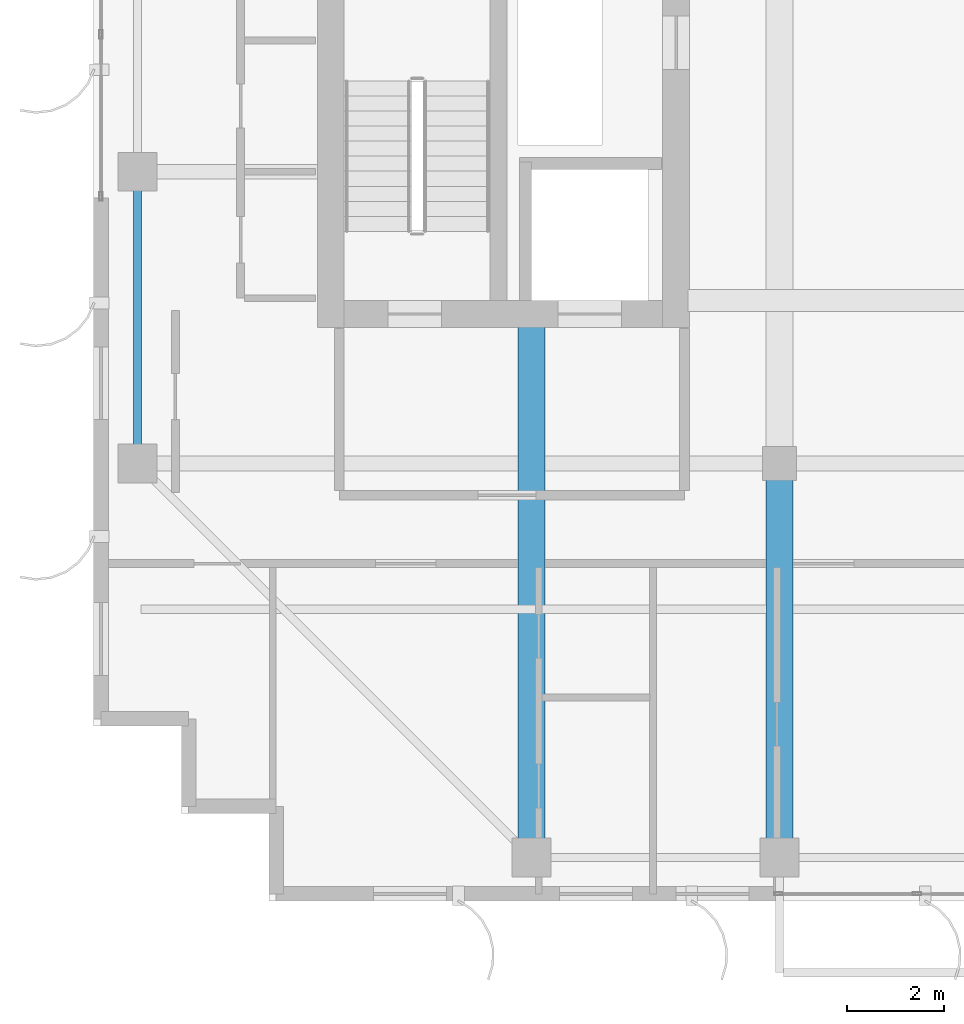
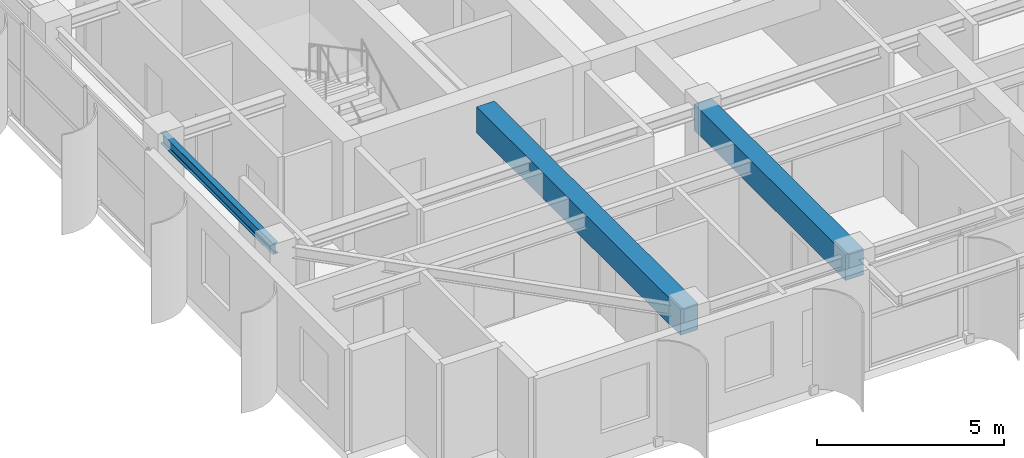
# One storey, part 3 of 23: 3 beams.
"""IFC4 building model written with IfcOpenShell, lengths in metres."""

from ifc_helpers import new_model, si_unit, direction, frame, origin, origin_2d, place, context, subcontext, project, spatial, rectangle, i_section, extrude, source, transform, mapped, material, material_profile, profile_set, type_object, element, save


model = new_model("IFC4")

# Units and contexts
model_context = context("Model", 3, precision=1e-05, world=origin(), true_north=direction((0.0, 1.0)))
body_context = subcontext(model_context, "Body", "Model", "MODEL_VIEW")
ifc_project = project(units=[si_unit("LENGTHUNIT", "METRE"), si_unit("AREAUNIT", "SQUARE_METRE"), si_unit("VOLUMEUNIT", "CUBIC_METRE"), si_unit("PLANEANGLEUNIT", "RADIAN"), si_unit("MASSUNIT", "GRAM", prefix="KILO")], contexts=[model_context])

# Site, building, storey
site_placement = place(None, origin())
site = spatial("IfcSite", under=ifc_project, at=site_placement, CompositionType="ELEMENT")
building_placement = place(site_placement, origin())
building = spatial("IfcBuilding", under=site, at=building_placement, Name="Khoralis Quay Care Tower", CompositionType="ELEMENT")
storey_placement = place(building_placement, frame((0.0, 0.0, 270.89990234375)))
storey = spatial("IfcBuildingStorey", under=building, at=storey_placement, Name="L71", CompositionType="ELEMENT", Elevation=270.89990234375)

# Beams
ifc_material_1 = material(Name="Steel S355", Category="steel")
ifc_material_profile_1 = material_profile(ifc_material_1, i_section(OverallWidth=0.169921875, OverallDepth=0.360107421875, WebThickness=0.008056640625, FlangeThickness=0.0126953125, FilletRadius=0.01806640625, at=origin_2d()), Name="Steel S355")
ifc_profile_set_1 = profile_set([ifc_material_profile_1], Name="Steel S355")
beam_type_1 = type_object("IfcBeamType", Name="BM-IPE360", PredefinedType="SPANDREL", material=ifc_profile_set_1)
shared_shape_1 = source(origin(), body_context, "Body", "SweptSolid", [
    extrude(i_section(OverallWidth=0.169921875, OverallDepth=0.360107421875, WebThickness=0.008056640625, FlangeThickness=0.0126953125, FilletRadius=0.01806640625, at=origin_2d()), origin(), (0.0, 0.0, 1.0), 6.0),
])
beam_1_placement = place(storey_placement, frame((3.89990234375, 12.0, 3.14013671875), z_axis=(0.0, 1.0, 0.0), x_axis=(-1.0, 0.0, 0.0)))
element("IfcBeam", 1, at=beam_1_placement, inside=storey, type_object=beam_type_1, Name="BM-TSP-L71-09", PredefinedType="SPANDREL", context=body_context, shape_type="MappedRepresentation", body=[
    mapped(shared_shape_1, transform((0.0, 0.0, 0.0), scale=1.0)),
])
ifc_material_2 = material(Name="Concrete C50/60", Category="concrete")
ifc_material_profile_2 = material_profile(ifc_material_2, rectangle(XDim=0.550048828125, YDim=0.85009765625, at=origin_2d()), Name="Concrete C50/60")
ifc_profile_set_2 = profile_set([ifc_material_profile_2], Name="Concrete C50/60")
beam_type_2 = type_object("IfcBeamType", Name="BM-RC550X850", PredefinedType="BEAM", material=ifc_profile_set_2)
shared_shape_2 = source(origin(), body_context, "Body", "SweptSolid", [
    extrude(rectangle(XDim=0.550048828125, YDim=0.85009765625, at=origin_2d()), origin(), (0.0, 0.0, 1.0), 10.902099609375),
])
beam_2_placement = place(storey_placement, frame((12.0, 3.89990234375, 2.89501953125), z_axis=(0.0, 1.0, 0.0), x_axis=(-1.0, 0.0, 0.0)))
element("IfcBeam", 2, at=beam_2_placement, inside=storey, type_object=beam_type_2, Name="BM-TGYS-L71-120", PredefinedType="BEAM", context=body_context, shape_type="MappedRepresentation", body=[
    mapped(shared_shape_2, transform((0.0, 0.0, 0.0), scale=1.0)),
])
shared_shape_3 = source(origin(), body_context, "Body", "SweptSolid", [
    extrude(rectangle(XDim=0.550048828125, YDim=0.85009765625, at=origin_2d()), origin(), (0.0, 0.0, 1.0), 8.10009765625),
])
beam_3_placement = place(storey_placement, frame((17.10009765625, 3.89990234375, 2.89501953125), z_axis=(0.0, 1.0, 0.0), x_axis=(-1.0, 0.0, 0.0)))
element("IfcBeam", 3, at=beam_3_placement, inside=storey, type_object=beam_type_2, Name="BM-TGYS-L71-171", PredefinedType="BEAM", context=body_context, shape_type="MappedRepresentation", body=[
    mapped(shared_shape_3, transform((0.0, 0.0, 0.0), scale=1.0)),
])

save(model, "model.ifc")
